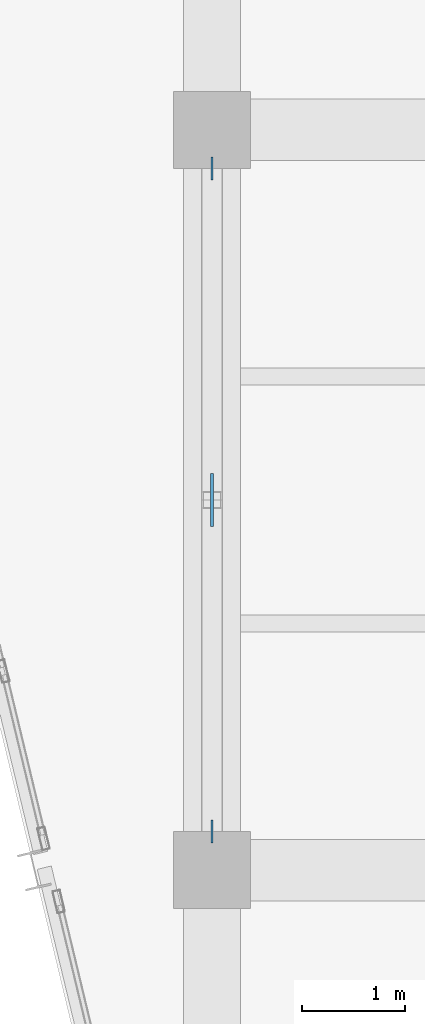
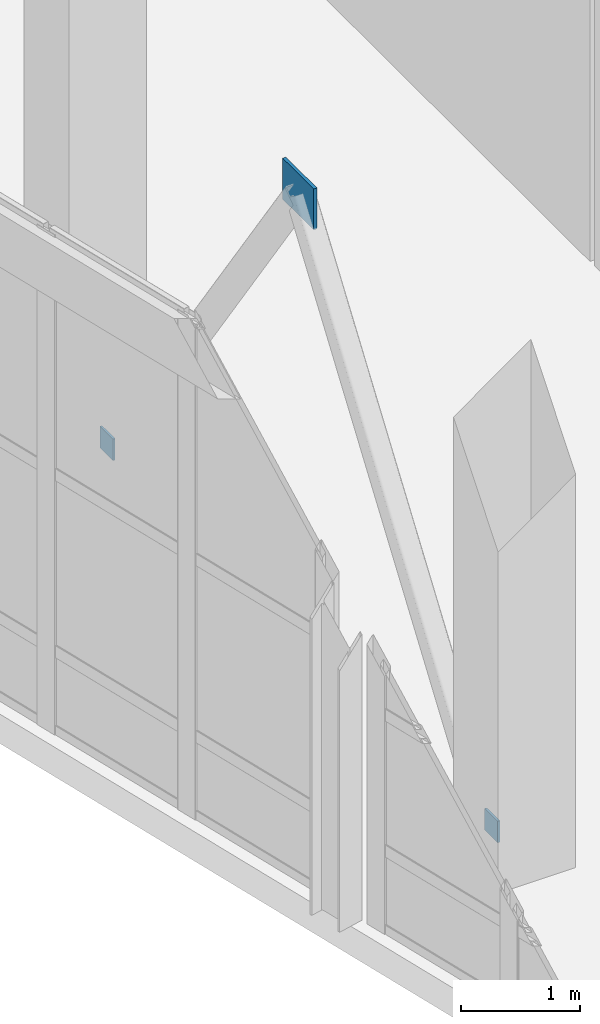
# One storey, part 101 of 137: 3 plates.
"""IFC4 building model written with IfcOpenShell, lengths in metres."""

from ifc_helpers import new_model, si_unit, direction, frame, origin, origin_2d, place, context, subcontext, project, spatial, rectangle, extrude, material, layer, layer_set, type_object, element, save


model = new_model("IFC4")

# Units and contexts
model_context = context("Model", 3, precision=1e-05, world=origin(), true_north=direction((0.0, 1.0)))
body_context = subcontext(model_context, "Body", "Model", "MODEL_VIEW")
ifc_project = project(units=[si_unit("LENGTHUNIT", "METRE"), si_unit("AREAUNIT", "SQUARE_METRE"), si_unit("VOLUMEUNIT", "CUBIC_METRE"), si_unit("PLANEANGLEUNIT", "RADIAN"), si_unit("MASSUNIT", "GRAM", prefix="KILO")], contexts=[model_context])

# Site, building, storey
site_placement = place(None, origin())
site = spatial("IfcSite", under=ifc_project, at=site_placement, CompositionType="ELEMENT")
building_placement = place(site_placement, origin())
building = spatial("IfcBuilding", under=site, at=building_placement, Name="Kalmorath City Hall", CompositionType="ELEMENT")
storey_placement = place(building_placement, origin())
storey = spatial("IfcBuildingStorey", under=building, at=storey_placement, Name="L00", CompositionType="ELEMENT", Elevation=0.0)

# Plates
ifc_material_1 = material(Name="Steel ASTM A572 Grade 50", Category="steel")
ifc_layer_1 = layer(ifc_material_1, 0.02001953125)
ifc_layer_set_1 = layer_set([ifc_layer_1], Name="Steel ASTM A572 Grade 50")
plate_type_1 = type_object("IfcPlateType", Name="Steel HSS end-cap plate 220x220x20", PredefinedType="SHEET", material=ifc_layer_set_1)
for number, where, z_axis, x_axis, name in (
    (1, (136.800048828125, 50.77490234375, 0.0), (0.0, 0.0, 1.0), (0.0, 1.0, 0.0), "L00 brace foot end-plate GP5-29L"),
    (2, (136.800048828125, 57.22509765625, 0.0), (0.0, 0.0, 1.0), (0.0, 1.0, 0.0), "L00 brace foot end-plate GP5-29R"),
):
    element("IfcPlate", number, at=place(storey_placement, frame(where, z_axis=z_axis, x_axis=x_axis)), inside=storey, type_object=plate_type_1, Name=name, PredefinedType="SHEET", context=body_context, shape_type="SweptSolid", body=[
        extrude(rectangle(XDim=0.219970703125, YDim=0.02001953125, at=origin_2d()), origin(), (0.0, 0.0, 1.0), 0.219970703125),
    ])
ifc_material_2 = material(Name="Steel ASTM A572 Grade 50", Category="steel")
ifc_layer_2 = layer(ifc_material_2, 0.031982421875)
ifc_layer_set_2 = layer_set([ifc_layer_2], Name="Steel ASTM A572 Grade 50")
plate_type_2 = type_object("IfcPlateType", Name="Steel brace gusset plate 520x420x32", PredefinedType="USERDEFINED", material=ifc_layer_set_2)
plate_placement = place(storey_placement, frame((136.800048828125, 54.0, 4.41015625), z_axis=(0.0, 0.0, 1.0), x_axis=(0.0, 1.0, 0.0)))
element("IfcPlate", 3, at=plate_placement, inside=storey, type_object=plate_type_2, Name="L00 brace gusset plate GP2-29", ObjectType="GUSSET PLATE", PredefinedType="USERDEFINED", context=body_context, shape_type="SweptSolid", body=[
    extrude(rectangle(XDim=0.52001953125, YDim=0.031982421875, at=origin_2d()), origin(), (0.0, 0.0, 1.0), 0.419921875),
])

save(model, "model.ifc")
